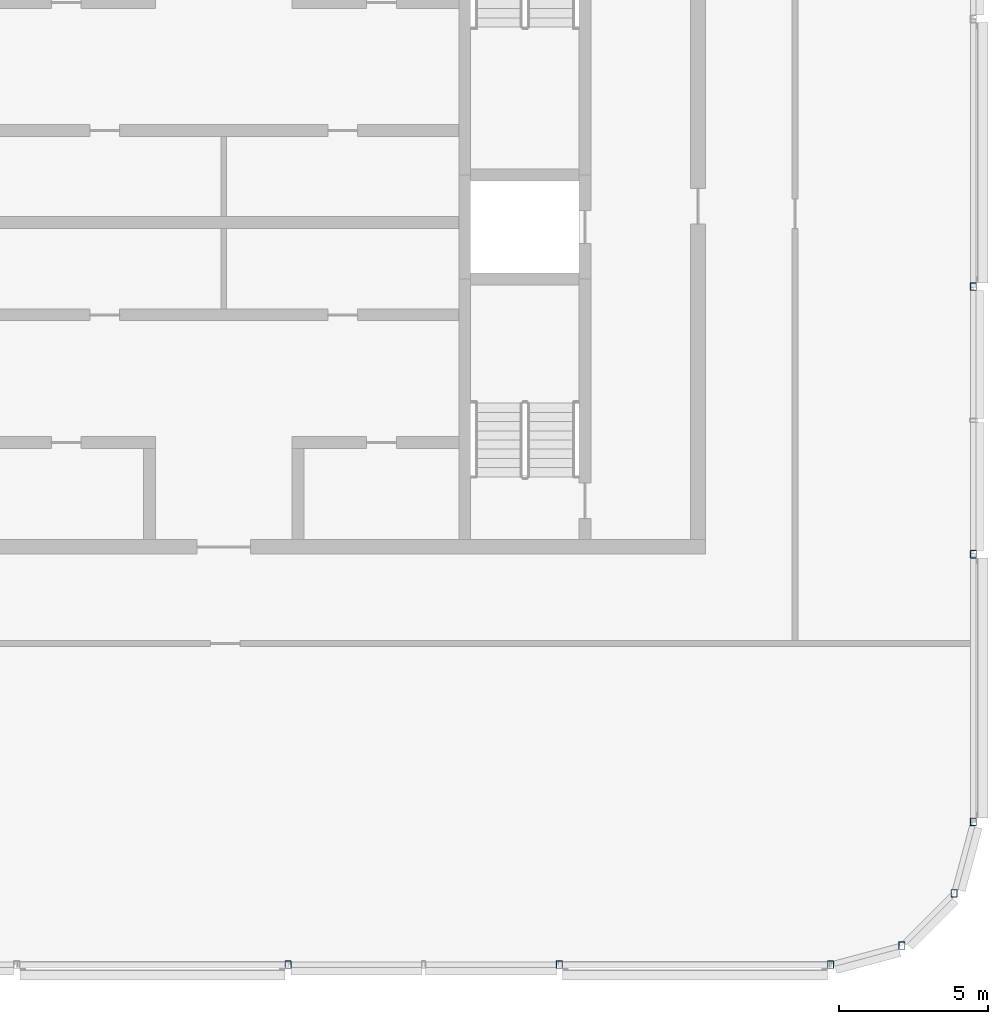
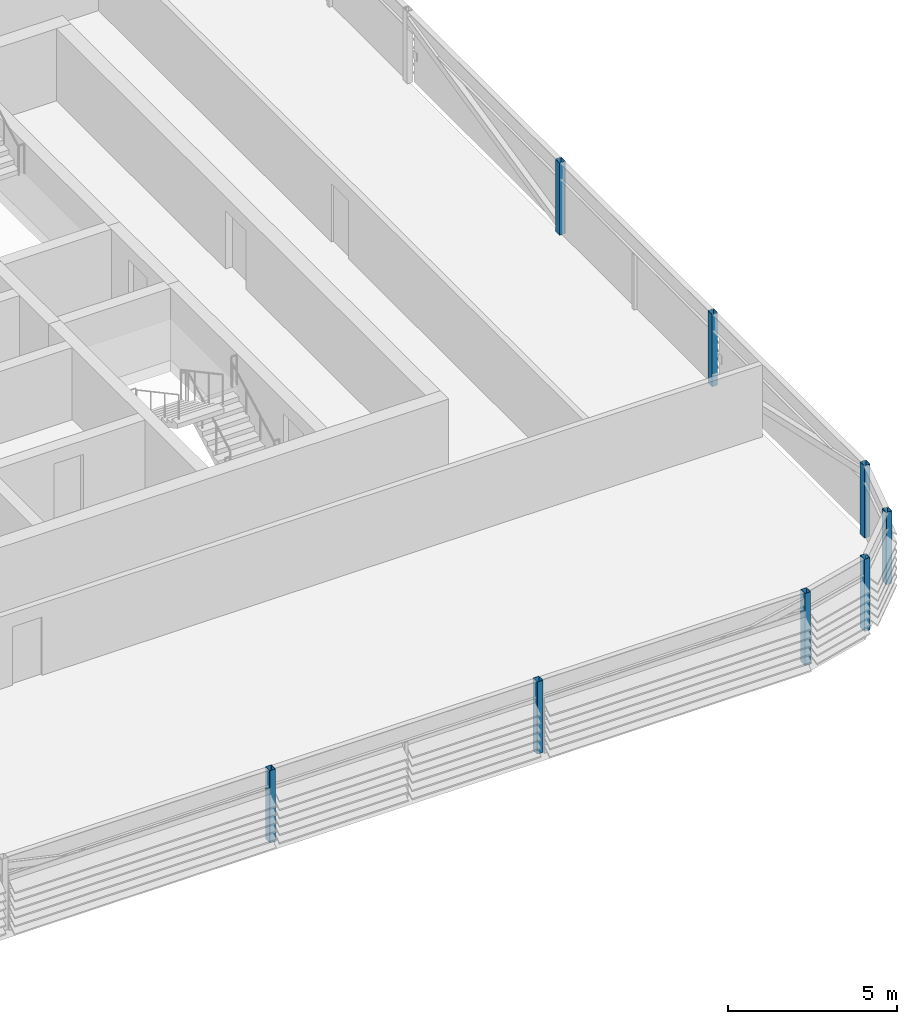
# One storey, part 2 of 27: 8 columns.
"""IFC4 building model written with IfcOpenShell, lengths in metres."""

from ifc_helpers import new_model, si_unit, direction, frame, origin, origin_2d, place, context, subcontext, project, spatial, hollow_rectangle, extrude, material, material_profile, profile_set, type_object, element, save


model = new_model("IFC4")

# Units and contexts
model_context = context("Model", 3, precision=1e-05, world=origin(), true_north=direction((0.0, 1.0)))
body_context = subcontext(model_context, "Body", "Model", "MODEL_VIEW")
ifc_project = project(units=[si_unit("LENGTHUNIT", "METRE"), si_unit("AREAUNIT", "SQUARE_METRE"), si_unit("VOLUMEUNIT", "CUBIC_METRE"), si_unit("PLANEANGLEUNIT", "RADIAN"), si_unit("MASSUNIT", "GRAM", prefix="KILO")], contexts=[model_context])

# Site, building, storey
site_placement = place(None, origin())
site = spatial("IfcSite", under=ifc_project, at=site_placement, CompositionType="ELEMENT")
building_placement = place(site_placement, origin())
building = spatial("IfcBuilding", under=site, at=building_placement, Name="Madar Terraces", CompositionType="ELEMENT")
storey_placement = place(building_placement, frame((0.0, 0.0, 314.300048828125)))
storey = spatial("IfcBuildingStorey", under=building, at=storey_placement, Name="L81", CompositionType="ELEMENT", Elevation=314.300048828125)

# Columns
ifc_material = material(Name="Steel ASTM A500 Grade C", Category="steel")
ifc_material_profile = material_profile(ifc_material, hollow_rectangle(XDim=0.203125, YDim=0.25390625, WallThickness=0.009521484375, InnerFilletRadius=0.00439453125, OuterFilletRadius=0.01318359375, at=origin_2d()), Name="HSS10x8x.375")
ifc_profile_set = profile_set([ifc_material_profile], Name="Steel ASTM A500 Grade C")
column_type = type_object("IfcColumnType", Name="CF1 HSS10x8x.375", PredefinedType="COLUMN", material=ifc_profile_set)
for number, where, z_axis, x_axis, name in (
    (1, (33.360107421875, 1.199951171875, 0.0), (0.0, 0.0, 1.0), (1.0, 0.0, 0.0), "Crown frame column CF1"),
    (2, (42.47998046875, 1.199951171875, 0.0), (0.0, 0.0, 1.0), (1.0, 0.0, 0.0), "Crown frame column CF1"),
    (3, (51.60009765625, 1.199951171875, 0.0), (0.0, 0.0, 1.0), (1.0, 0.0, 0.0), "Crown frame column CF1"),
    (4, (54.0, 1.843017578125, 0.0), (0.0, 0.0, 1.0), (1.0, 0.0, 0.0), "Crown frame column CF1"),
    (5, (55.7568359375, 3.60009765625, 0.0), (0.0, 0.0, 1.0), (1.0, 0.0, 0.0), "Crown frame column CF1"),
    (6, (56.39990234375, 6.0, 0.0), (0.0, 0.0, 1.0), (1.0, 0.0, 0.0), "Crown frame column CF1"),
    (7, (56.39990234375, 15.0, 0.0), (0.0, 0.0, 1.0), (1.0, 0.0, 0.0), "Crown frame column CF1"),
    (8, (56.39990234375, 24.0, 0.0), (0.0, 0.0, 1.0), (1.0, 0.0, 0.0), "Crown frame column CF1"),
):
    element("IfcColumn", number, at=place(storey_placement, frame(where, z_axis=z_axis, x_axis=x_axis)), inside=storey, type_object=column_type, Name=name, PredefinedType="COLUMN", context=body_context, shape_type="SweptSolid", body=[
        extrude(hollow_rectangle(XDim=0.203125, YDim=0.25390625, WallThickness=0.009521484375, InnerFilletRadius=0.00439453125, OuterFilletRadius=0.01318359375, at=origin_2d()), origin(), (0.0, 0.0, 1.0), 2.599853515625),
    ])

save(model, "model.ifc")
